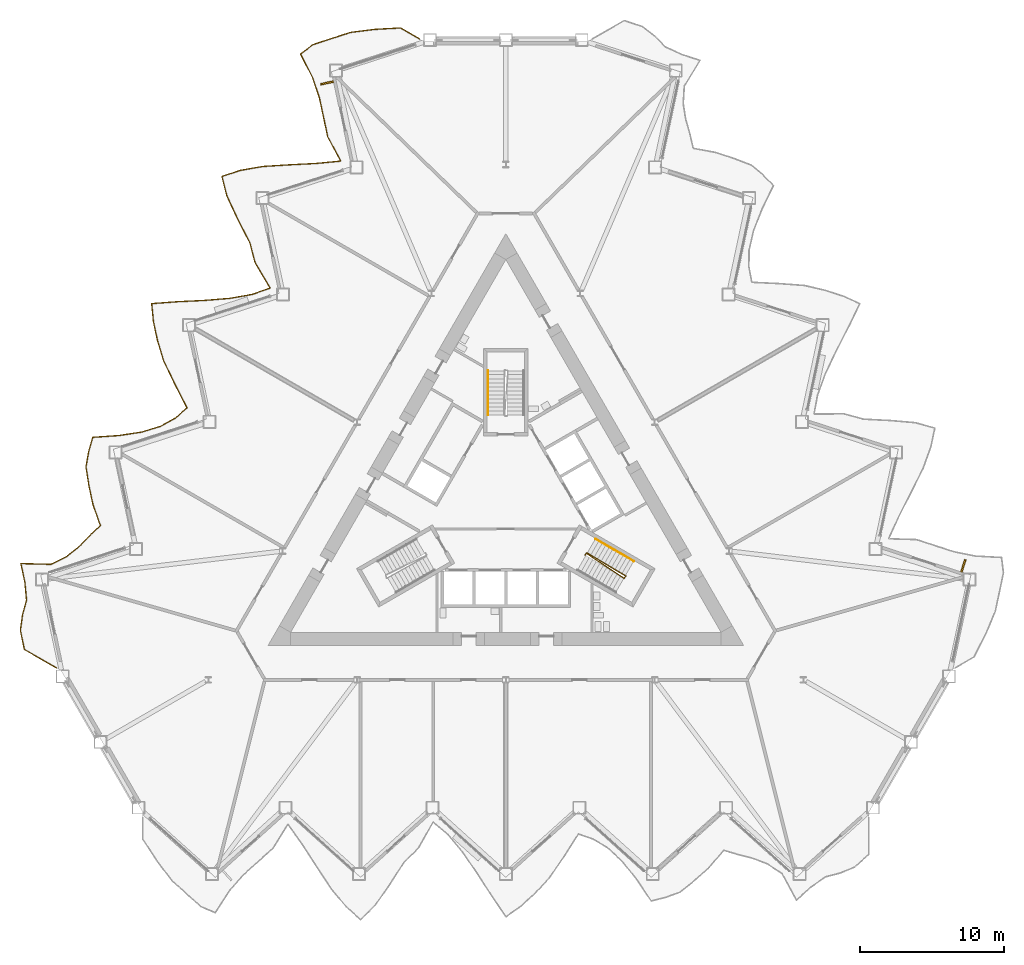
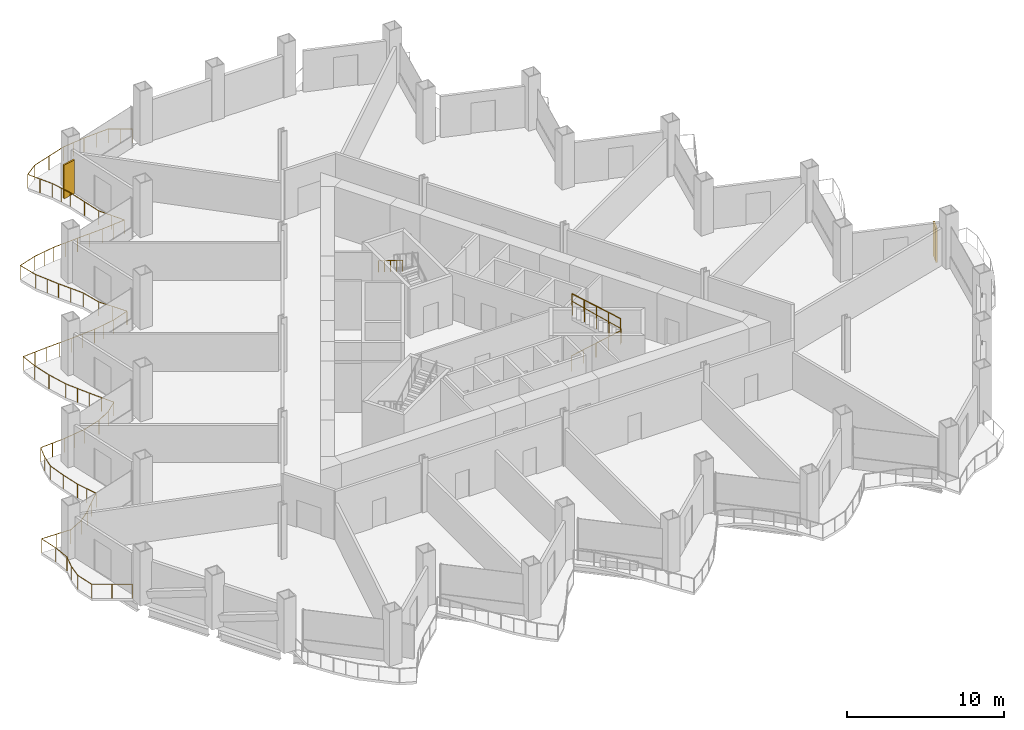
# One storey, part 18 of 21: 4 railings, 2 shading devices.
"""IFC4 building model written with IfcOpenShell, lengths in metres."""

from ifc_helpers import new_model, si_unit, direction, frame, origin, origin_2d, place, context, subcontext, project, spatial, rectangle, circle, extrude, material, layer, layer_set, type_object, element, save


model = new_model("IFC4")

# Units and contexts
model_context = context("Model", 3, precision=1e-05, world=origin(), true_north=direction((0.0, 1.0)))
body_context = subcontext(model_context, "Body", "Model", "MODEL_VIEW")
ifc_project = project(units=[si_unit("LENGTHUNIT", "METRE"), si_unit("AREAUNIT", "SQUARE_METRE"), si_unit("VOLUMEUNIT", "CUBIC_METRE"), si_unit("PLANEANGLEUNIT", "RADIAN"), si_unit("MASSUNIT", "GRAM", prefix="KILO")], contexts=[model_context])

# Site, building, storey
site_placement = place(None, origin())
site = spatial("IfcSite", under=ifc_project, at=site_placement, CompositionType="ELEMENT")
building_placement = place(site_placement, origin())
building = spatial("IfcBuilding", under=site, at=building_placement, Name="Cormorant Prow Tower", CompositionType="ELEMENT")
storey_placement = place(building_placement, frame((0.0, 0.0, 129.0)))
storey = spatial("IfcBuildingStorey", under=building, at=storey_placement, Name="L27", CompositionType="ELEMENT", Elevation=129.0)

# Railings
ifc_material_1 = material(Name="Aluminium 6063-T6", Category="aluminium")
railing_type_1 = type_object("IfcRailingType", Name="Balcony guard 1100", PredefinedType="GUARDRAIL", material=ifc_material_1)
railing_1_placement = place(storey_placement, frame((-5.990234375, 32.576416015625, 0.0)))
element("IfcRailing", 1, at=railing_1_placement, inside=storey, type_object=railing_type_1, Name="Balcony guard WNW", PredefinedType="GUARDRAIL", context=body_context, shape_type="SweptSolid", body=[
    extrude(circle(Radius=0.02392578125, at=origin_2d()), frame((0.0, 0.0, 1.076171875), z_axis=(-0.866030456496, 0.499991248344, 0.0), x_axis=(-0.499991248344, -0.866030456496, 0.0)), (0.0, 0.0, 1.0), 1.52001953125),
    extrude(circle(Radius=0.02392578125, at=origin_2d()), frame((-1.31640625, 0.760009765625, 1.076171875), z_axis=(-0.998474175615, -0.055220654009, 0.0), x_axis=(0.055220654009, -0.998474175615, 0.0)), (0.0, 0.0, 1.0), 1.84375),
    extrude(circle(Radius=0.02392578125, at=origin_2d()), frame((-3.1572265625, 0.658203125, 1.076171875), z_axis=(-0.991854590145, -0.127375319462, 0.0), x_axis=(0.127375319462, -0.991854590145, 0.0)), (0.0, 0.0, 1.0), 1.663818359375),
    extrude(circle(Radius=0.02392578125, at=origin_2d()), frame((-4.807373046875, 0.4462890625, 1.076171875), z_axis=(-0.95106578465, -0.308988467857, 0.0), x_axis=(0.308988467857, -0.95106578465, 0.0)), (0.0, 0.0, 1.0), 1.357421875),
    extrude(circle(Radius=0.02392578125, at=origin_2d()), frame((-6.098388671875, 0.02685546875, 1.076171875), z_axis=(-0.951048608924, -0.309041329701, 0.0), x_axis=(0.309041329701, -0.951048608924, 0.0)), (0.0, 0.0, 1.0), 1.357177734375),
    extrude(circle(Radius=0.02392578125, at=origin_2d()), frame((-7.38916015625, -0.392578125, 1.076171875), z_axis=(-0.800293589886, -0.599608347162, 0.0), x_axis=(0.599608347162, -0.800293589886, 0.0)), (0.0, 0.0, 1.0), 1.097412109375),
    extrude(circle(Radius=0.02392578125, at=origin_2d()), frame((-8.267333984375, -1.050537109375, 1.076171875), z_axis=(0.453743986862, -0.891132085825, 0.0), x_axis=(0.891132085825, 0.453743986862, 0.0)), (0.0, 0.0, 1.0), 1.850830078125),
    extrude(circle(Radius=0.02392578125, at=origin_2d()), frame((-7.427490234375, -2.699951171875, 1.076171875), z_axis=(0.316324106754, -0.948651179036, 0.0), x_axis=(0.948651179036, 0.316324106754, 0.0)), (0.0, 0.0, 1.0), 1.5205078125),
    extrude(circle(Radius=0.02392578125, at=origin_2d()), frame((-6.946533203125, -4.142333984375, 1.076171875), z_axis=(0.20793189794, -0.978143305359, 0.0), x_axis=(0.978143305359, 0.20793189794, 0.0)), (0.0, 0.0, 1.0), 1.357421875),
    extrude(circle(Radius=0.02392578125, at=origin_2d()), frame((-6.664306640625, -5.469970703125, 1.076171875), z_axis=(0.20793189794, -0.978143305359, 0.0), x_axis=(0.978143305359, 0.20793189794, 0.0)), (0.0, 0.0, 1.0), 1.357421875),
    extrude(circle(Radius=0.02392578125, at=origin_2d()), frame((-6.382080078125, -6.797607421875, 1.076171875), z_axis=(0.472585856924, -0.881284634971, 0.0), x_axis=(0.881284634971, 0.472585856924, 0.0)), (0.0, 0.0, 1.0), 1.91455078125),
    extrude(circle(Radius=0.02392578125, at=origin_2d()), frame((-5.477294921875, -8.48486328125, 1.076171875), z_axis=(-0.995503667949, -0.094723001955, 0.0), x_axis=(0.094723001955, -0.995503667949, 0.0)), (0.0, 0.0, 1.0), 1.73974609375),
    extrude(circle(Radius=0.02392578125, at=origin_2d()), frame((-7.209228515625, -8.649658203125, 1.076171875), z_axis=(-0.998717669659, -0.050626241319, 0.0), x_axis=(0.050626241319, -0.998717669659, 0.0)), (0.0, 0.0, 1.0), 1.856689453125),
    extrude(circle(Radius=0.02392578125, at=origin_2d()), frame((-9.0634765625, -8.74365234375, 1.076171875), z_axis=(-0.998053099231, -0.062369953633, 0.0), x_axis=(0.062369953633, -0.998053099231, 0.0)), (0.0, 0.0, 1.0), 1.82421875),
    extrude(circle(Radius=0.02392578125, at=origin_2d()), frame((-10.884033203125, -8.857421875, 1.076171875), z_axis=(-0.985083819846, -0.172075180891, 0.0), x_axis=(0.172075180891, -0.985083819846, 0.0)), (0.0, 0.0, 1.0), 1.572021484375),
    extrude(circle(Radius=0.02392578125, at=origin_2d()), frame((-12.4326171875, -9.1279296875, 1.076171875), z_axis=(-0.950995727537, -0.309204020359, 0.0), x_axis=(0.309204020359, -0.950995727537, 0.0)), (0.0, 0.0, 1.0), 1.357177734375),
    extrude(circle(Radius=0.02392578125, at=origin_2d()), frame((-13.723388671875, -9.547607421875, 1.076171875), z_axis=(0.245636474216, -0.969362018306, 0.0), x_axis=(0.969362018306, 0.245636474216, 0.0)), (0.0, 0.0, 1.0), 1.407470703125),
    extrude(circle(Radius=0.02392578125, at=origin_2d()), frame((-13.377685546875, -10.911865234375, 1.076171875), z_axis=(0.422497782382, -0.906363957736, 0.0), x_axis=(0.906363957736, 0.422497782382, 0.0)), (0.0, 0.0, 1.0), 1.75830078125),
    extrude(circle(Radius=0.02392578125, at=origin_2d()), frame((-12.634765625, -12.505615234375, 1.076171875), z_axis=(0.456740140869, -0.889600159464, 0.0), x_axis=(0.889600159464, 0.456740140869, 0.0)), (0.0, 0.0, 1.0), 1.860595703125),
    extrude(circle(Radius=0.02392578125, at=origin_2d()), frame((-11.784912109375, -14.160888671875, 1.076171875), z_axis=(0.253332549475, -0.967379253125, 0.0), x_axis=(0.967379253125, 0.253332549475, 0.0)), (0.0, 0.0, 1.0), 1.418701171875),
    extrude(circle(Radius=0.02392578125, at=origin_2d()), frame((-11.425537109375, -15.533203125, 1.076171875), z_axis=(0.50874934015, -0.860914693159, 0.0), x_axis=(0.860914693159, 0.50874934015, 0.0)), (0.0, 0.0, 1.0), 2.053466796875),
    extrude(circle(Radius=0.02392578125, at=origin_2d()), frame((-10.380859375, -17.301025390625, 1.076171875), z_axis=(-0.942963166719, -0.332897080508, 0.0), x_axis=(0.332897080508, -0.942963166719, 0.0)), (0.0, 0.0, 1.0), 1.327392578125),
    extrude(circle(Radius=0.02392578125, at=origin_2d()), frame((-11.632568359375, -17.742919921875, 1.076171875), z_axis=(-0.984852365608, -0.173394976733, 0.0), x_axis=(0.173394976733, -0.984852365608, 0.0)), (0.0, 0.0, 1.0), 1.56982421875),
    extrude(circle(Radius=0.02392578125, at=origin_2d()), frame((-13.1787109375, -18.01513671875, 1.076171875), z_axis=(-0.996759511029, -0.080439276307, 0.0), x_axis=(0.080439276307, -0.996759511029, 0.0)), (0.0, 0.0, 1.0), 1.775634765625),
    extrude(circle(Radius=0.02392578125, at=origin_2d()), frame((-14.948486328125, -18.157958984375, 1.076171875), z_axis=(-0.998817168661, -0.048623693685, 0.0), x_axis=(0.048623693685, -0.998817168661, 0.0)), (0.0, 0.0, 1.0), 1.86279296875),
    extrude(circle(Radius=0.02392578125, at=origin_2d()), frame((-16.80908203125, -18.24853515625, 1.076171875), z_axis=(-0.997407442267, -0.071961059679, 0.0), x_axis=(0.071961059679, -0.997407442267, 0.0)), (0.0, 0.0, 1.0), 1.798095703125),
    extrude(circle(Radius=0.02392578125, at=origin_2d()), frame((-18.6025390625, -18.3779296875, 1.076171875), z_axis=(0.095227770091, -0.995455509706, 0.0), x_axis=(0.995455509706, 0.095227770091, 0.0)), (0.0, 0.0, 1.0), 1.23828125),
    extrude(circle(Radius=0.02392578125, at=origin_2d()), frame((-18.484619140625, -19.610595703125, 1.076171875), z_axis=(0.20793189794, -0.978143305359, 0.0), x_axis=(0.978143305359, 0.20793189794, 0.0)), (0.0, 0.0, 1.0), 1.357421875),
    extrude(circle(Radius=0.02392578125, at=origin_2d()), frame((-18.202392578125, -20.938232421875, 1.076171875), z_axis=(0.289883332511, -0.957061990433, 0.0), x_axis=(0.957061990433, 0.289883332511, 0.0)), (0.0, 0.0, 1.0), 1.474609375),
    extrude(circle(Radius=0.02392578125, at=origin_2d()), frame((-17.77490234375, -22.349609375, 1.076171875), z_axis=(0.434139257323, -0.900845772178, 0.0), x_axis=(0.900845772178, 0.434139257323, 0.0)), (0.0, 0.0, 1.0), 1.791748046875),
    extrude(circle(Radius=0.02392578125, at=origin_2d()), frame((-16.9970703125, -23.963623046875, 1.076171875), z_axis=(0.457457560899, -0.889231454671, 0.0), x_axis=(0.889231454671, 0.457457560899, 0.0)), (0.0, 0.0, 1.0), 1.863037109375),
    extrude(circle(Radius=0.02392578125, at=origin_2d()), frame((-16.144775390625, -25.620361328125, 1.076171875), z_axis=(-0.754290023722, -0.656541362074, 0.0), x_axis=(0.656541362074, -0.754290023722, 0.0)), (0.0, 0.0, 1.0), 1.06640625),
    extrude(circle(Radius=0.02392578125, at=origin_2d()), frame((-16.94921875, -26.320556640625, 1.076171875), z_axis=(-0.872147372574, -0.489243252904, 0.0), x_axis=(0.489243252904, -0.872147372574, 0.0)), (0.0, 0.0, 1.0), 1.173095703125),
    extrude(circle(Radius=0.02392578125, at=origin_2d()), frame((-17.972412109375, -26.89453125, 1.076171875), z_axis=(-0.955767508134, -0.294123223149, 0.0), x_axis=(0.294123223149, -0.955767508134, 0.0)), (0.0, 0.0, 1.0), 1.376953125),
    extrude(circle(Radius=0.02392578125, at=origin_2d()), frame((-19.28857421875, -27.299560546875, 1.076171875), z_axis=(-0.988983844965, -0.148023492723, 0.0), x_axis=(0.148023492723, -0.988983844965, 0.0)), (0.0, 0.0, 1.0), 1.61962890625),
    extrude(circle(Radius=0.02392578125, at=origin_2d()), frame((-20.890380859375, -27.539306640625, 1.076171875), z_axis=(-0.997620720209, -0.068941269283, 0.0), x_axis=(0.068941269283, -0.997620720209, 0.0)), (0.0, 0.0, 1.0), 1.80615234375),
    extrude(circle(Radius=0.02392578125, at=origin_2d()), frame((-22.692138671875, -27.663818359375, 1.076171875), z_axis=(-0.275713553861, -0.961239843232, 0.0), x_axis=(0.961239843232, -0.275713553861, 0.0)), (0.0, 0.0, 1.0), 1.03955078125),
    extrude(circle(Radius=0.02392578125, at=origin_2d()), frame((-22.978759765625, -28.6630859375, 1.076171875), z_axis=(-0.173759385032, -0.984788137679, 0.0), x_axis=(0.984788137679, -0.173759385032, 0.0)), (0.0, 0.0, 1.0), 1.073486328125),
    extrude(circle(Radius=0.02392578125, at=origin_2d()), frame((-23.165283203125, -29.72021484375, 1.076171875), z_axis=(0.1555081731, -0.98783460564, 0.0), x_axis=(0.98783460564, 0.1555081731, 0.0)), (0.0, 0.0, 1.0), 1.296875),
    extrude(circle(Radius=0.02392578125, at=origin_2d()), frame((-22.963623046875, -31.001220703125, 1.076171875), z_axis=(0.20793189794, -0.978143305359, 0.0), x_axis=(0.978143305359, 0.20793189794, 0.0)), (0.0, 0.0, 1.0), 1.357421875),
    extrude(circle(Radius=0.02392578125, at=origin_2d()), frame((-22.681396484375, -32.328857421875, 1.076171875), z_axis=(0.333946049225, -0.942592189766, 0.0), x_axis=(0.942592189766, 0.333946049225, 0.0)), (0.0, 0.0, 1.0), 1.553466796875),
    extrude(circle(Radius=0.02392578125, at=origin_2d()), frame((-22.16259765625, -33.793212890625, 1.076171875), z_axis=(-0.727886865403, -0.685697244542, 0.0), x_axis=(0.685697244542, -0.727886865403, 0.0)), (0.0, 0.0, 1.0), 1.05322265625),
    extrude(circle(Radius=0.02392578125, at=origin_2d()), frame((-22.92919921875, -34.515380859375, 1.076171875), z_axis=(-0.697302838834, -0.716776639515, 0.0), x_axis=(0.716776639515, -0.697302838834, 0.0)), (0.0, 0.0, 1.0), 1.04052734375),
    extrude(circle(Radius=0.02392578125, at=origin_2d()), frame((-23.65478515625, -35.26123046875, 1.076171875), z_axis=(-0.777996371959, -0.628268768299, 0.0), x_axis=(0.628268768299, -0.777996371959, 0.0)), (0.0, 0.0, 1.0), 1.0810546875),
    extrude(circle(Radius=0.02392578125, at=origin_2d()), frame((-24.495849609375, -35.9404296875, 1.076171875), z_axis=(-0.894669408042, -0.44672883309, 0.0), x_axis=(0.44672883309, -0.894669408042, 0.0)), (0.0, 0.0, 1.0), 1.208984375),
    extrude(circle(Radius=0.02392578125, at=origin_2d()), frame((-25.577392578125, -36.48046875, 1.076171875), z_axis=(-0.999698475204, 0.024555216863, 0.0), x_axis=(-0.024555216863, -0.999698475204, 0.0)), (0.0, 0.0, 1.0), 2.10791015625),
    extrude(circle(Radius=0.02392578125, at=origin_2d()), frame((-27.6845703125, -36.4287109375, 1.076171875), z_axis=(0.20793189794, -0.978143305359, 0.0), x_axis=(0.978143305359, 0.20793189794, 0.0)), (0.0, 0.0, 1.0), 1.357421875),
    extrude(circle(Radius=0.02392578125, at=origin_2d()), frame((-27.40234375, -37.75634765625, 1.076171875), z_axis=(0.089286168231, -0.99600601412, 0.0), x_axis=(0.99600601412, 0.089286168231, 0.0)), (0.0, 0.0, 1.0), 1.233154296875),
    extrude(circle(Radius=0.02392578125, at=origin_2d()), frame((-27.292236328125, -38.984619140625, 1.076171875), z_axis=(-0.267100034332, -0.963668808077, 0.0), x_axis=(0.963668808077, -0.267100034332, 0.0)), (0.0, 0.0, 1.0), 1.0419921875),
    extrude(circle(Radius=0.02392578125, at=origin_2d()), frame((-27.570556640625, -39.98876953125, 1.076171875), z_axis=(-0.13486327355, -0.990864217462, 0.0), x_axis=(0.990864217462, -0.13486327355, 0.0)), (0.0, 0.0, 1.0), 1.08984375),
    extrude(circle(Radius=0.02392578125, at=origin_2d()), frame((-27.717529296875, -41.068603515625, 1.076171875), z_axis=(0.203405975868, -0.979094484195, 0.0), x_axis=(0.979094484195, 0.203405975868, 0.0)), (0.0, 0.0, 1.0), 1.3515625),
    extrude(circle(Radius=0.02392578125, at=origin_2d()), frame((-27.442626953125, -42.391845703125, 1.076171875), z_axis=(0.86598941085, -0.50006233641, 0.0), x_axis=(0.50006233641, 0.86598941085, 0.0)), (0.0, 0.0, 1.0), 2.570068359375),
    extrude(circle(Radius=0.02099609375, at=origin_2d()), origin(), (0.0, 0.0, 1.0), 1.052001953125),
    extrude(circle(Radius=0.02099609375, at=origin_2d()), frame((-0.658203125, 0.3798828125, 0.0)), (0.0, 0.0, 1.0), 1.052001953125),
    extrude(circle(Radius=0.02099609375, at=origin_2d()), frame((-1.31640625, 0.760009765625, 0.0)), (0.0, 0.0, 1.0), 1.052001953125),
    extrude(circle(Radius=0.02099609375, at=origin_2d()), frame((-2.23681640625, 0.708984375, 0.0)), (0.0, 0.0, 1.0), 1.052001953125),
    extrude(circle(Radius=0.02099609375, at=origin_2d()), frame((-3.1572265625, 0.658203125, 0.0)), (0.0, 0.0, 1.0), 1.052001953125),
    extrude(circle(Radius=0.02099609375, at=origin_2d()), frame((-3.982421875, 0.55224609375, 0.0)), (0.0, 0.0, 1.0), 1.052001953125),
    extrude(circle(Radius=0.02099609375, at=origin_2d()), frame((-4.807373046875, 0.4462890625, 0.0)), (0.0, 0.0, 1.0), 1.052001953125),
    extrude(circle(Radius=0.02099609375, at=origin_2d()), frame((-6.098388671875, 0.02685546875, 0.0)), (0.0, 0.0, 1.0), 1.052001953125),
    extrude(circle(Radius=0.02099609375, at=origin_2d()), frame((-7.38916015625, -0.392578125, 0.0)), (0.0, 0.0, 1.0), 1.052001953125),
    extrude(circle(Radius=0.02099609375, at=origin_2d()), frame((-8.267333984375, -1.050537109375, 0.0)), (0.0, 0.0, 1.0), 1.052001953125),
    extrude(circle(Radius=0.02099609375, at=origin_2d()), frame((-7.847412109375, -1.875244140625, 0.0)), (0.0, 0.0, 1.0), 1.052001953125),
    extrude(circle(Radius=0.02099609375, at=origin_2d()), frame((-7.427490234375, -2.699951171875, 0.0)), (0.0, 0.0, 1.0), 1.052001953125),
    extrude(circle(Radius=0.02099609375, at=origin_2d()), frame((-7.18701171875, -3.421142578125, 0.0)), (0.0, 0.0, 1.0), 1.052001953125),
    extrude(circle(Radius=0.02099609375, at=origin_2d()), frame((-6.946533203125, -4.142333984375, 0.0)), (0.0, 0.0, 1.0), 1.052001953125),
    extrude(circle(Radius=0.02099609375, at=origin_2d()), frame((-6.664306640625, -5.469970703125, 0.0)), (0.0, 0.0, 1.0), 1.052001953125),
    extrude(circle(Radius=0.02099609375, at=origin_2d()), frame((-6.382080078125, -6.797607421875, 0.0)), (0.0, 0.0, 1.0), 1.052001953125),
    extrude(circle(Radius=0.02099609375, at=origin_2d()), frame((-5.9296875, -7.64111328125, 0.0)), (0.0, 0.0, 1.0), 1.052001953125),
    extrude(circle(Radius=0.02099609375, at=origin_2d()), frame((-5.477294921875, -8.48486328125, 0.0)), (0.0, 0.0, 1.0), 1.052001953125),
    extrude(circle(Radius=0.02099609375, at=origin_2d()), frame((-6.34326171875, -8.5673828125, 0.0)), (0.0, 0.0, 1.0), 1.052001953125),
    extrude(circle(Radius=0.02099609375, at=origin_2d()), frame((-7.209228515625, -8.649658203125, 0.0)), (0.0, 0.0, 1.0), 1.052001953125),
    extrude(circle(Radius=0.02099609375, at=origin_2d()), frame((-8.13623046875, -8.69677734375, 0.0)), (0.0, 0.0, 1.0), 1.052001953125),
    extrude(circle(Radius=0.02099609375, at=origin_2d()), frame((-9.0634765625, -8.74365234375, 0.0)), (0.0, 0.0, 1.0), 1.052001953125),
    extrude(circle(Radius=0.02099609375, at=origin_2d()), frame((-9.9736328125, -8.800537109375, 0.0)), (0.0, 0.0, 1.0), 1.052001953125),
    extrude(circle(Radius=0.02099609375, at=origin_2d()), frame((-10.884033203125, -8.857421875, 0.0)), (0.0, 0.0, 1.0), 1.052001953125),
    extrude(circle(Radius=0.02099609375, at=origin_2d()), frame((-11.658203125, -8.99267578125, 0.0)), (0.0, 0.0, 1.0), 1.052001953125),
    extrude(circle(Radius=0.02099609375, at=origin_2d()), frame((-12.4326171875, -9.1279296875, 0.0)), (0.0, 0.0, 1.0), 1.052001953125),
    extrude(circle(Radius=0.02099609375, at=origin_2d()), frame((-13.723388671875, -9.547607421875, 0.0)), (0.0, 0.0, 1.0), 1.052001953125),
    extrude(circle(Radius=0.02099609375, at=origin_2d()), frame((-13.377685546875, -10.911865234375, 0.0)), (0.0, 0.0, 1.0), 1.052001953125),
    extrude(circle(Radius=0.02099609375, at=origin_2d()), frame((-13.00634765625, -11.708740234375, 0.0)), (0.0, 0.0, 1.0), 1.052001953125),
    extrude(circle(Radius=0.02099609375, at=origin_2d()), frame((-12.634765625, -12.505615234375, 0.0)), (0.0, 0.0, 1.0), 1.052001953125),
    extrude(circle(Radius=0.02099609375, at=origin_2d()), frame((-12.2099609375, -13.333251953125, 0.0)), (0.0, 0.0, 1.0), 1.052001953125),
    extrude(circle(Radius=0.02099609375, at=origin_2d()), frame((-11.784912109375, -14.160888671875, 0.0)), (0.0, 0.0, 1.0), 1.052001953125),
    extrude(circle(Radius=0.02099609375, at=origin_2d()), frame((-11.425537109375, -15.533203125, 0.0)), (0.0, 0.0, 1.0), 1.052001953125),
    extrude(circle(Radius=0.02099609375, at=origin_2d()), frame((-10.9033203125, -16.4169921875, 0.0)), (0.0, 0.0, 1.0), 1.052001953125),
    extrude(circle(Radius=0.02099609375, at=origin_2d()), frame((-10.380859375, -17.301025390625, 0.0)), (0.0, 0.0, 1.0), 1.052001953125),
    extrude(circle(Radius=0.02099609375, at=origin_2d()), frame((-11.632568359375, -17.742919921875, 0.0)), (0.0, 0.0, 1.0), 1.052001953125),
    extrude(circle(Radius=0.02099609375, at=origin_2d()), frame((-12.40576171875, -17.87890625, 0.0)), (0.0, 0.0, 1.0), 1.052001953125),
    extrude(circle(Radius=0.02099609375, at=origin_2d()), frame((-13.1787109375, -18.01513671875, 0.0)), (0.0, 0.0, 1.0), 1.052001953125),
    extrude(circle(Radius=0.02099609375, at=origin_2d()), frame((-14.0634765625, -18.08642578125, 0.0)), (0.0, 0.0, 1.0), 1.052001953125),
    extrude(circle(Radius=0.02099609375, at=origin_2d()), frame((-14.948486328125, -18.157958984375, 0.0)), (0.0, 0.0, 1.0), 1.052001953125),
    extrude(circle(Radius=0.02099609375, at=origin_2d()), frame((-15.87890625, -18.203125, 0.0)), (0.0, 0.0, 1.0), 1.052001953125),
    extrude(circle(Radius=0.02099609375, at=origin_2d()), frame((-16.80908203125, -18.24853515625, 0.0)), (0.0, 0.0, 1.0), 1.052001953125),
    extrude(circle(Radius=0.02099609375, at=origin_2d()), frame((-17.705810546875, -18.313232421875, 0.0)), (0.0, 0.0, 1.0), 1.052001953125),
    extrude(circle(Radius=0.02099609375, at=origin_2d()), frame((-18.6025390625, -18.3779296875, 0.0)), (0.0, 0.0, 1.0), 1.052001953125),
    extrude(circle(Radius=0.02099609375, at=origin_2d()), frame((-18.484619140625, -19.610595703125, 0.0)), (0.0, 0.0, 1.0), 1.052001953125),
    extrude(circle(Radius=0.02099609375, at=origin_2d()), frame((-18.202392578125, -20.938232421875, 0.0)), (0.0, 0.0, 1.0), 1.052001953125),
    extrude(circle(Radius=0.02099609375, at=origin_2d()), frame((-17.77490234375, -22.349609375, 0.0)), (0.0, 0.0, 1.0), 1.052001953125),
    extrude(circle(Radius=0.02099609375, at=origin_2d()), frame((-17.385986328125, -23.15673828125, 0.0)), (0.0, 0.0, 1.0), 1.052001953125),
    extrude(circle(Radius=0.02099609375, at=origin_2d()), frame((-16.9970703125, -23.963623046875, 0.0)), (0.0, 0.0, 1.0), 1.052001953125),
    extrude(circle(Radius=0.02099609375, at=origin_2d()), frame((-16.57080078125, -24.7919921875, 0.0)), (0.0, 0.0, 1.0), 1.052001953125),
    extrude(circle(Radius=0.02099609375, at=origin_2d()), frame((-16.144775390625, -25.620361328125, 0.0)), (0.0, 0.0, 1.0), 1.052001953125),
    extrude(circle(Radius=0.02099609375, at=origin_2d()), frame((-16.94921875, -26.320556640625, 0.0)), (0.0, 0.0, 1.0), 1.052001953125),
    extrude(circle(Radius=0.02099609375, at=origin_2d()), frame((-17.972412109375, -26.89453125, 0.0)), (0.0, 0.0, 1.0), 1.052001953125),
    extrude(circle(Radius=0.02099609375, at=origin_2d()), frame((-19.28857421875, -27.299560546875, 0.0)), (0.0, 0.0, 1.0), 1.052001953125),
    extrude(circle(Radius=0.02099609375, at=origin_2d()), frame((-20.08935546875, -27.41943359375, 0.0)), (0.0, 0.0, 1.0), 1.052001953125),
    extrude(circle(Radius=0.02099609375, at=origin_2d()), frame((-20.890380859375, -27.539306640625, 0.0)), (0.0, 0.0, 1.0), 1.052001953125),
    extrude(circle(Radius=0.02099609375, at=origin_2d()), frame((-21.791259765625, -27.6015625, 0.0)), (0.0, 0.0, 1.0), 1.052001953125),
    extrude(circle(Radius=0.02099609375, at=origin_2d()), frame((-22.692138671875, -27.663818359375, 0.0)), (0.0, 0.0, 1.0), 1.052001953125),
    extrude(circle(Radius=0.02099609375, at=origin_2d()), frame((-22.978759765625, -28.6630859375, 0.0)), (0.0, 0.0, 1.0), 1.052001953125),
    extrude(circle(Radius=0.02099609375, at=origin_2d()), frame((-23.165283203125, -29.72021484375, 0.0)), (0.0, 0.0, 1.0), 1.052001953125),
    extrude(circle(Radius=0.02099609375, at=origin_2d()), frame((-22.963623046875, -31.001220703125, 0.0)), (0.0, 0.0, 1.0), 1.052001953125),
    extrude(circle(Radius=0.02099609375, at=origin_2d()), frame((-22.681396484375, -32.328857421875, 0.0)), (0.0, 0.0, 1.0), 1.052001953125),
    extrude(circle(Radius=0.02099609375, at=origin_2d()), frame((-22.421875, -33.06103515625, 0.0)), (0.0, 0.0, 1.0), 1.052001953125),
    extrude(circle(Radius=0.02099609375, at=origin_2d()), frame((-22.16259765625, -33.793212890625, 0.0)), (0.0, 0.0, 1.0), 1.052001953125),
    extrude(circle(Radius=0.02099609375, at=origin_2d()), frame((-22.92919921875, -34.515380859375, 0.0)), (0.0, 0.0, 1.0), 1.052001953125),
    extrude(circle(Radius=0.02099609375, at=origin_2d()), frame((-23.65478515625, -35.26123046875, 0.0)), (0.0, 0.0, 1.0), 1.052001953125),
    extrude(circle(Radius=0.02099609375, at=origin_2d()), frame((-24.495849609375, -35.9404296875, 0.0)), (0.0, 0.0, 1.0), 1.052001953125),
    extrude(circle(Radius=0.02099609375, at=origin_2d()), frame((-25.577392578125, -36.48046875, 0.0)), (0.0, 0.0, 1.0), 1.052001953125),
    extrude(circle(Radius=0.02099609375, at=origin_2d()), frame((-26.630859375, -36.45458984375, 0.0)), (0.0, 0.0, 1.0), 1.052001953125),
    extrude(circle(Radius=0.02099609375, at=origin_2d()), frame((-27.6845703125, -36.4287109375, 0.0)), (0.0, 0.0, 1.0), 1.052001953125),
    extrude(circle(Radius=0.02099609375, at=origin_2d()), frame((-27.40234375, -37.75634765625, 0.0)), (0.0, 0.0, 1.0), 1.052001953125),
    extrude(circle(Radius=0.02099609375, at=origin_2d()), frame((-27.292236328125, -38.984619140625, 0.0)), (0.0, 0.0, 1.0), 1.052001953125),
    extrude(circle(Radius=0.02099609375, at=origin_2d()), frame((-27.570556640625, -39.98876953125, 0.0)), (0.0, 0.0, 1.0), 1.052001953125),
    extrude(circle(Radius=0.02099609375, at=origin_2d()), frame((-27.717529296875, -41.068603515625, 0.0)), (0.0, 0.0, 1.0), 1.052001953125),
    extrude(circle(Radius=0.02099609375, at=origin_2d()), frame((-27.442626953125, -42.391845703125, 0.0)), (0.0, 0.0, 1.0), 1.052001953125),
    extrude(circle(Radius=0.02099609375, at=origin_2d()), frame((-26.329833984375, -43.034423828125, 0.0)), (0.0, 0.0, 1.0), 1.052001953125),
    extrude(circle(Radius=0.02099609375, at=origin_2d()), frame((-25.217041015625, -43.677001953125, 0.0)), (0.0, 0.0, 1.0), 1.052001953125),
])
ifc_material_2 = material(Name="Stainless steel", Category="steel")
railing_type_2 = type_object("IfcRailingType", Name="Stair guard 1100", PredefinedType="GUARDRAIL", material=ifc_material_2)
railing_2_placement = place(storey_placement, frame((5.510009765625, -3.267822265625, 0.0)))
element("IfcRailing", 2, at=railing_2_placement, inside=storey, type_object=railing_type_2, Name="L27 ST2 stair guard 1", PredefinedType="GUARDRAIL", context=body_context, shape_type="SweptSolid", body=[
    extrude(circle(Radius=0.02392578125, at=origin_2d()), frame((0.0, 0.0, 1.076171875), z_axis=(0.501036270542, 0.865426285481, 0.0), x_axis=(-0.865426285481, 0.501036270542, 0.0)), (0.0, 0.0, 1.0), 0.150146484375),
    extrude(circle(Radius=0.02392578125, at=origin_2d()), frame((0.0751953125, 0.1298828125, 1.076171875), z_axis=(0.691630634645, -0.46052652377, 0.556383308633), x_axis=(0.554233058506, 0.832361530141, 0.0)), (0.0, 0.0, 1.0), 3.774658203125),
    extrude(circle(Radius=0.02392578125, at=origin_2d()), frame((2.685791015625, -1.6083984375, 3.17626953125), z_axis=(0.695164929852, 0.718850276695, 0.0), x_axis=(-0.718850276695, 0.695164929852, 0.0)), (0.0, 0.0, 1.0), 0.2060546875),
    extrude(circle(Radius=0.02392578125, at=origin_2d()), frame((2.8291015625, -1.460205078125, 3.17626953125), z_axis=(-0.712489022558, 0.426677363931, 0.55705100291), x_axis=(-0.513773053629, -0.857926132814, 0.0)), (0.0, 0.0, 1.0), 3.76953125),
    extrude(circle(Radius=0.02099609375, at=origin_2d()), origin(), (0.0, 0.0, 1.0), 1.052001953125),
    extrude(circle(Radius=0.02099609375, at=origin_2d()), frame((0.0751953125, 0.1298828125, 0.0)), (0.0, 0.0, 1.0), 1.052001953125),
    extrude(circle(Radius=0.02099609375, at=origin_2d()), frame((0.727783203125, -0.3046875, 0.52490234375)), (0.0, 0.0, 1.0), 1.052001953125),
    extrude(circle(Radius=0.02099609375, at=origin_2d()), frame((1.38037109375, -0.7392578125, 1.050048828125)), (0.0, 0.0, 1.0), 1.052001953125),
    extrude(circle(Radius=0.02099609375, at=origin_2d()), frame((2.033203125, -1.173828125, 1.5751953125)), (0.0, 0.0, 1.0), 1.052001953125),
    extrude(circle(Radius=0.02099609375, at=origin_2d()), frame((2.685791015625, -1.6083984375, 2.10009765625)), (0.0, 0.0, 1.0), 1.052001953125),
    extrude(circle(Radius=0.02099609375, at=origin_2d()), frame((2.8291015625, -1.460205078125, 2.10009765625)), (0.0, 0.0, 1.0), 1.052001953125),
    extrude(circle(Radius=0.02099609375, at=origin_2d()), frame((2.15771484375, -1.05810546875, 2.625)), (0.0, 0.0, 1.0), 1.052001953125),
    extrude(circle(Radius=0.02099609375, at=origin_2d()), frame((1.486328125, -0.656005859375, 3.14990234375)), (0.0, 0.0, 1.0), 1.052001953125),
    extrude(circle(Radius=0.02099609375, at=origin_2d()), frame((0.814697265625, -0.25390625, 3.675048828125)), (0.0, 0.0, 1.0), 1.052001953125),
    extrude(circle(Radius=0.02099609375, at=origin_2d()), frame((0.143310546875, 0.148193359375, 4.199951171875)), (0.0, 0.0, 1.0), 1.052001953125),
])
ifc_material_3 = material(Name="Stainless steel", Category="steel")
railing_type_3 = type_object("IfcRailingType", Name="Stair handrail 900", PredefinedType="HANDRAIL", material=ifc_material_3)
railing_3_placement = place(storey_placement, frame((8.88037109375, -3.690673828125, 2.27490234375)))
element("IfcRailing", 3, at=railing_3_placement, inside=storey, type_object=railing_type_3, Name="L27 ST2 stair handrail 2", PredefinedType="HANDRAIL", context=body_context, shape_type="SweptSolid", body=[
    extrude(circle(Radius=0.02392578125, at=origin_2d()), frame((0.0, 0.0, 0.8759765625), z_axis=(-0.734394994316, 0.423994474112, 0.52999309264), x_axis=(-0.499992328818, -0.866029832698, 0.0)), (0.0, 0.0, 1.0), 3.63232421875),
    extrude(circle(Radius=0.02099609375, at=origin_2d()), origin(), (0.0, 0.0, 1.0), 0.851806640625),
    extrude(circle(Radius=0.02099609375, at=origin_2d()), frame((-0.6669921875, 0.385009765625, 0.481201171875)), (0.0, 0.0, 1.0), 0.851806640625),
    extrude(circle(Radius=0.02099609375, at=origin_2d()), frame((-1.333740234375, 0.77001953125, 0.96240234375)), (0.0, 0.0, 1.0), 0.851806640625),
    extrude(circle(Radius=0.02099609375, at=origin_2d()), frame((-2.00048828125, 1.155029296875, 1.44384765625)), (0.0, 0.0, 1.0), 0.851806640625),
    extrude(circle(Radius=0.02099609375, at=origin_2d()), frame((-2.66748046875, 1.5400390625, 1.925048828125)), (0.0, 0.0, 1.0), 0.851806640625),
])
railing_4_placement = place(storey_placement, frame((-1.243896484375, 9.535888671875, 2.27490234375)))
element("IfcRailing", 4, at=railing_4_placement, inside=storey, type_object=railing_type_3, Name="L27 ST3 stair handrail 2", PredefinedType="HANDRAIL", context=body_context, shape_type="SweptSolid", body=[
    extrude(circle(Radius=0.02392578125, at=origin_2d()), frame((0.0, 0.0, 0.8759765625), z_axis=(0.0, -0.847998304005, 0.529998940003), x_axis=(1.0, 0.0, 0.0)), (0.0, 0.0, 1.0), 3.632080078125),
    extrude(circle(Radius=0.02099609375, at=origin_2d()), origin(), (0.0, 0.0, 1.0), 0.851806640625),
    extrude(circle(Radius=0.02099609375, at=origin_2d()), frame((0.0, -0.77001953125, 0.481201171875)), (0.0, 0.0, 1.0), 0.851806640625),
    extrude(circle(Radius=0.02099609375, at=origin_2d()), frame((0.0, -1.5400390625, 0.96240234375)), (0.0, 0.0, 1.0), 0.851806640625),
    extrude(circle(Radius=0.02099609375, at=origin_2d()), frame((0.0, -2.31005859375, 1.44384765625)), (0.0, 0.0, 1.0), 0.851806640625),
    extrude(circle(Radius=0.02099609375, at=origin_2d()), frame((0.0, -3.080078125, 1.925048828125)), (0.0, 0.0, 1.0), 0.851806640625),
])

# Shading devices
ifc_material_4 = material(Name="Terracotta", Category="masonry")
ifc_layer = layer(ifc_material_4, 0.1201171875)
ifc_layer_set = layer_set([ifc_layer], Name="Terracotta")
shading_device_type = type_object("IfcShadingDeviceType", Name="Terracotta baguette fin 120x900x2600", PredefinedType="USERDEFINED", material=ifc_layer_set)
for number, where, z_axis, x_axis, name in (
    (5, (31.76611328125, -4.00927734375, 0.0), (0.0, 0.0, 1.0), (-0.951056490871, 0.309017072623, 0.0), "Baguette fin ENE01"),
    (6, (-12.410888671875, 29.514892578125, 0.0), (0.0, 0.0, 1.0), (0.207911636836, -0.978147612208, 0.0), "Baguette fin WNW01"),
):
    element("IfcShadingDevice", number, at=place(storey_placement, frame(where, z_axis=z_axis, x_axis=x_axis)), inside=storey, type_object=shading_device_type, Name=name, ObjectType="BAGUETTE", PredefinedType="USERDEFINED", context=body_context, shape_type="SweptSolid", body=[
        extrude(rectangle(XDim=0.1201171875, YDim=0.89990234375, at=origin_2d()), origin(), (0.0, 0.0, 1.0), 2.60009765625),
    ])

save(model, "model.ifc")
